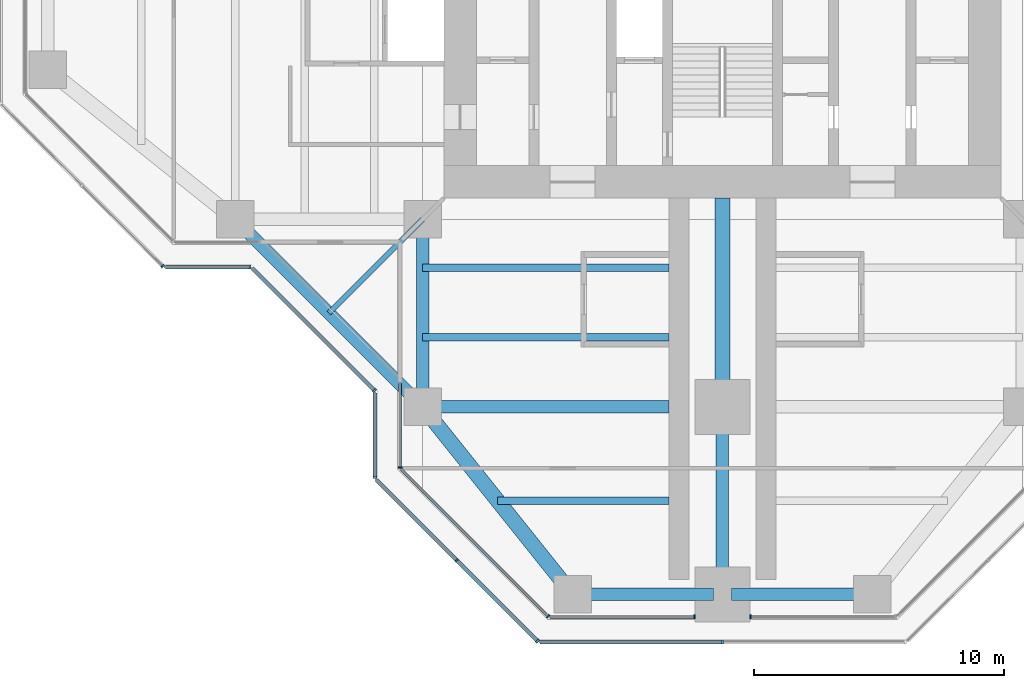
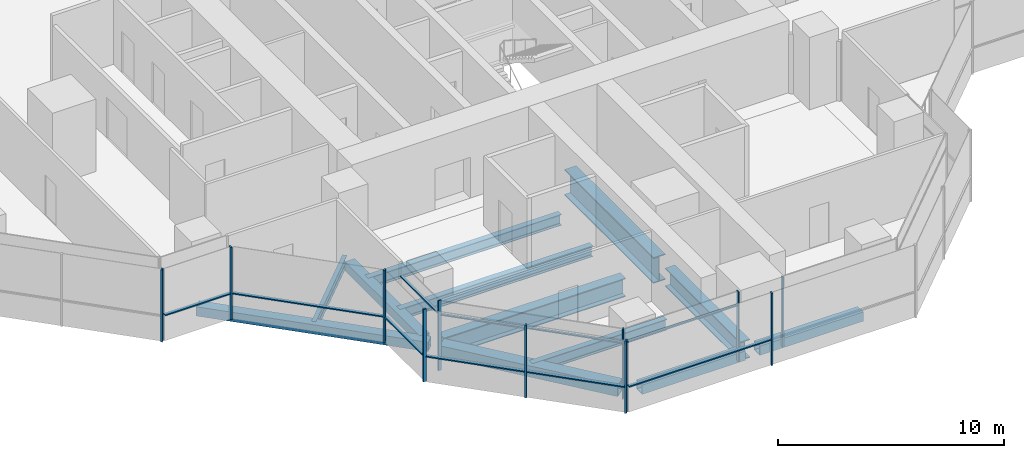
# One storey, part 2 of 17: 20 members, 12 beams, 10 elements without a shape of their own.
"""IFC4 building model written with IfcOpenShell, lengths in metres."""

from ifc_helpers import new_model, si_unit, direction, frame, origin, origin_2d, place, context, subcontext, project, spatial, rectangle, hollow_rectangle, i_section, extrude, material, material_profile, profile_set, type_object, element, aggregate, save


model = new_model("IFC4")

# Units and contexts
model_context = context("Model", 3, precision=1e-05, world=origin(), true_north=direction((0.0, 1.0)))
body_context = subcontext(model_context, "Body", "Model", "MODEL_VIEW")
ifc_project = project(units=[si_unit("LENGTHUNIT", "METRE"), si_unit("AREAUNIT", "SQUARE_METRE"), si_unit("VOLUMEUNIT", "CUBIC_METRE"), si_unit("PLANEANGLEUNIT", "RADIAN"), si_unit("MASSUNIT", "GRAM", prefix="KILO")], contexts=[model_context])

# Site, building, storey
site_placement = place(None, origin())
site = spatial("IfcSite", under=ifc_project, at=site_placement, CompositionType="ELEMENT")
building_placement = place(site_placement, origin())
building = spatial("IfcBuilding", under=site, at=building_placement, Name="Mizan Broadcast Tower", CompositionType="ELEMENT")
storey_placement = place(building_placement, frame((0.0, 0.0, 224.39990234375)))
storey = spatial("IfcBuildingStorey", under=building, at=storey_placement, Name="L52", CompositionType="ELEMENT", Elevation=224.39990234375)

# Beams
ifc_material_1 = material(Name="Steel S355", Category="steel")
ifc_material_profile_1 = material_profile(ifc_material_1, hollow_rectangle(XDim=0.5, YDim=0.5, WallThickness=0.030029296875, at=origin_2d()), Name="BOX 500x500x30")
ifc_profile_set_1 = profile_set([ifc_material_profile_1], Name="Steel S355")
beam_type_1 = type_object("IfcBeamType", Name="EDGE BEAM BOX 500x500x30", PredefinedType="SPANDREL", material=ifc_profile_set_1)
beam_1_placement = place(storey_placement, frame((-12.0, -12.449951171875, -0.3798828125), z_axis=(0.0, -1.0, 0.0), x_axis=(1.0, 0.0, 0.0)))
element("IfcBeam", 1, at=beam_1_placement, inside=storey, type_object=beam_type_1, Name="Edge beam BOX 500x500x30 L52 south arm", PredefinedType="SPANDREL", context=body_context, shape_type="SweptSolid", body=[
    extrude(hollow_rectangle(XDim=0.5, YDim=0.5, WallThickness=0.030029296875, at=origin_2d()), origin(), (0.0, 0.0, 1.0), 6.60009765625),
])
for number, where, z_axis, x_axis, name in (
    (2, (-5.639892578125, -27.0, -0.3798828125), (1.0, 0.0, 0.0), (0.0, 1.0, 0.0), "Edge beam BOX 500x500x30 L52 south arm"),
    (3, (5.639892578125, -27.0, -0.3798828125), (-1.0, 0.0, 0.0), (0.0, -1.0, 0.0), "Edge beam BOX 500x500x30 L52 south arm"),
):
    element("IfcBeam", number, at=place(storey_placement, frame(where, z_axis=z_axis, x_axis=x_axis)), inside=storey, type_object=beam_type_1, Name=name, PredefinedType="SPANDREL", context=body_context, shape_type="SweptSolid", body=[
        extrude(hollow_rectangle(XDim=0.5, YDim=0.5, WallThickness=0.030029296875, at=origin_2d()), origin(), (0.0, 0.0, 1.0), 5.27978515625),
    ])
beam_2_placement = place(storey_placement, frame((-19.5, -12.0, -0.3798828125), z_axis=(0.707106781187, -0.707106781187, 0.0), x_axis=(0.707106781187, 0.707106781187, 0.0)))
element("IfcBeam", 4, at=beam_2_placement, inside=storey, type_object=beam_type_1, Name="Winter garden edge beam L52 W", PredefinedType="SPANDREL", context=body_context, shape_type="SweptSolid", body=[
    extrude(hollow_rectangle(XDim=0.5, YDim=0.5, WallThickness=0.030029296875, at=origin_2d()), origin(), (0.0, 0.0, 1.0), 10.606689453125),
])
ifc_material_2 = material(Name="Steel S355", Category="steel")
ifc_material_profile_2 = material_profile(ifc_material_2, hollow_rectangle(XDim=0.60009765625, YDim=0.60009765625, WallThickness=0.030029296875, at=origin_2d()), Name="BOX 600x600x30")
ifc_profile_set_2 = profile_set([ifc_material_profile_2], Name="Steel S355")
beam_type_2 = type_object("IfcBeamType", Name="EDGE BEAM BOX 600x600x30", PredefinedType="SPANDREL", material=ifc_profile_set_2)
beam_3_placement = place(storey_placement, frame((-11.639892578125, -19.949951171875, -0.429931640625), z_axis=(0.624673911726, -0.780885717636, 0.0), x_axis=(0.780885717636, 0.624673911726, 0.0)))
element("IfcBeam", 5, at=beam_3_placement, inside=storey, type_object=beam_type_2, Name="Edge beam BOX 600x600x30 L52 south arm", PredefinedType="SPANDREL", context=body_context, shape_type="SweptSolid", body=[
    extrude(hollow_rectangle(XDim=0.60009765625, YDim=0.60009765625, WallThickness=0.030029296875, at=origin_2d()), origin(), (0.0, 0.0, 1.0), 8.4521484375),
])
ifc_material_3 = material(Name="Steel S460", Category="steel")
ifc_material_profile_3 = material_profile(ifc_material_3, i_section(OverallWidth=0.5, OverallDepth=1.0, WebThickness=0.02490234375, FlangeThickness=0.050048828125, at=origin_2d()), Name="WPG 1000x500")
ifc_profile_set_3 = profile_set([ifc_material_profile_3], Name="Steel S460")
beam_type_3 = type_object("IfcBeamType", Name="GIRDER WPG 1000x500", PredefinedType="BEAM", material=ifc_profile_set_3)
beam_4_placement = place(storey_placement, frame((0.0, -19.949951171875, -0.6298828125), z_axis=(0.0, -1.0, 0.0), x_axis=(1.0, 0.0, 0.0)))
element("IfcBeam", 6, at=beam_4_placement, inside=storey, type_object=beam_type_3, Name="Girder WPG 1000x500 L52 south arm", PredefinedType="BEAM", context=body_context, shape_type="SweptSolid", body=[
    extrude(i_section(OverallWidth=0.5, OverallDepth=1.0, WebThickness=0.02490234375, FlangeThickness=0.050048828125, at=origin_2d()), origin(), (0.0, 0.0, 1.0), 6.60009765625),
])
beam_5_placement = place(storey_placement, frame((-11.408935546875, -19.5, -0.6298828125), z_axis=(1.0, 0.0, 0.0), x_axis=(0.0, 1.0, 0.0)))
element("IfcBeam", 7, at=beam_5_placement, inside=storey, type_object=beam_type_3, Name="Girder WPG 1000x500 L52 south arm", PredefinedType="BEAM", context=body_context, shape_type="SweptSolid", body=[
    extrude(i_section(OverallWidth=0.5, OverallDepth=1.0, WebThickness=0.02490234375, FlangeThickness=0.050048828125, at=origin_2d()), origin(), (0.0, 0.0, 1.0), 9.259033203125),
])
ifc_material_4 = material(Name="Steel S460", Category="steel")
ifc_material_profile_4 = material_profile(ifc_material_4, i_section(OverallWidth=0.60009765625, OverallDepth=1.39990234375, WebThickness=0.02490234375, FlangeThickness=0.06005859375, at=origin_2d()), Name="WPG 1400x600")
ifc_profile_set_4 = profile_set([ifc_material_profile_4], Name="Steel S460")
beam_type_4 = type_object("IfcBeamType", Name="GIRDER WPG 1400x600", PredefinedType="BEAM", material=ifc_profile_set_4)
beam_6_placement = place(storey_placement, frame((0.0, -11.14990234375, -0.829833984375), z_axis=(0.0, -1.0, 0.0), x_axis=(1.0, 0.0, 0.0)))
element("IfcBeam", 8, at=beam_6_placement, inside=storey, type_object=beam_type_4, Name="Girder WPG 1400x600 L52 south arm", PredefinedType="BEAM", context=body_context, shape_type="SweptSolid", body=[
    extrude(i_section(OverallWidth=0.60009765625, OverallDepth=1.39990234375, WebThickness=0.02490234375, FlangeThickness=0.06005859375, at=origin_2d()), origin(), (0.0, 0.0, 1.0), 7.84912109375),
])

# Curtain wall, member
ifc_material_5 = material(Name="Aluminium framed glazing", Category="aluminium")
curtain_wall_type_1 = type_object("IfcCurtainWallType", Name="INNER SKIN HIGH ZONE", PredefinedType="USERDEFINED", material=ifc_material_5)
curtain_wall_1_placement = place(storey_placement, origin())
curtain_wall_1 = element("IfcCurtainWall", 9, at=curtain_wall_1_placement, inside=storey, type_object=curtain_wall_type_1, Name="Inner skin high zone L52 S side", ObjectType="INNER SKIN HIGH ZONE", PredefinedType="USERDEFINED")
ifc_material_6 = material(Name="Aluminium, pale anodised", Category="aluminium")
ifc_material_profile_5 = material_profile(ifc_material_6, rectangle(XDim=0.159912109375, YDim=0.06005859375, at=origin_2d()), Name="MULLION 160x60")
ifc_profile_set_5 = profile_set([ifc_material_profile_5], Name="Aluminium, pale anodised")
member_type_1 = type_object("IfcMemberType", Name="INNER SKIN MULLION 60x160", PredefinedType="MULLION", material=ifc_profile_set_5)
member_1_placement = place(storey_placement, frame((-12.89990234375, -21.928466796875, 0.0), z_axis=(0.0, 0.0, 1.0), x_axis=(1.0, 0.0, 0.0)))
member_1 = element("IfcMember", 10, at=member_1_placement, type_object=member_type_1, Name="Inner skin high zone L52 S side mullion 2", PredefinedType="MULLION", context=body_context, shape_type="SweptSolid", body=[
    extrude(rectangle(XDim=0.159912109375, YDim=0.06005859375, at=origin_2d()), origin(), (0.0, 0.0, 1.0), 3.77001953125),
])

curtain_wall_2_placement = place(storey_placement, origin())
curtain_wall_2 = element("IfcCurtainWall", 11, at=curtain_wall_2_placement, inside=storey, type_object=curtain_wall_type_1, Name="Inner skin high zone L52 S chamfer", ObjectType="INNER SKIN HIGH ZONE", PredefinedType="USERDEFINED")
member_2_placement = place(storey_placement, frame((-6.979736328125, -27.87890625, 0.0), z_axis=(0.0, 0.0, 1.0), x_axis=(0.707106781187, 0.707106781187, 0.0)))
member_2 = element("IfcMember", 12, at=member_2_placement, type_object=member_type_1, Name="Inner skin high zone L52 S chamfer mullion 2", PredefinedType="MULLION", context=body_context, shape_type="SweptSolid", body=[
    extrude(rectangle(XDim=0.159912109375, YDim=0.06005859375, at=origin_2d()), origin(), (0.0, 0.0, 1.0), 3.77001953125),
])

curtain_wall_3_placement = place(storey_placement, origin())
curtain_wall_3 = element("IfcCurtainWall", 13, at=curtain_wall_3_placement, inside=storey, type_object=curtain_wall_type_1, Name="Inner skin high zone L52 S end", ObjectType="INNER SKIN HIGH ZONE", PredefinedType="USERDEFINED")
member_3_placement = place(storey_placement, frame((-1.1298828125, -27.89990234375, 0.0), z_axis=(0.0, 0.0, 1.0), x_axis=(0.0, 1.0, 0.0)))
member_3 = element("IfcMember", 14, at=member_3_placement, type_object=member_type_1, Name="Inner skin high zone L52 S end mullion 2", PredefinedType="MULLION", context=body_context, shape_type="SweptSolid", body=[
    extrude(rectangle(XDim=0.159912109375, YDim=0.06005859375, at=origin_2d()), origin(), (0.0, 0.0, 1.0), 3.77001953125),
])

curtain_wall_4_placement = place(storey_placement, origin())
curtain_wall_4 = element("IfcCurtainWall", 15, at=curtain_wall_4_placement, inside=storey, type_object=curtain_wall_type_1, Name="Inner skin high zone L52 S end", ObjectType="INNER SKIN HIGH ZONE", PredefinedType="USERDEFINED")
member_4_placement = place(storey_placement, frame((1.1298828125, -27.89990234375, 0.0), z_axis=(0.0, 0.0, 1.0), x_axis=(0.0, 1.0, 0.0)))
member_4 = element("IfcMember", 16, at=member_4_placement, type_object=member_type_1, Name="Inner skin high zone L52 S end mullion 1", PredefinedType="MULLION", context=body_context, shape_type="SweptSolid", body=[
    extrude(rectangle(XDim=0.159912109375, YDim=0.06005859375, at=origin_2d()), origin(), (0.0, 0.0, 1.0), 3.77001953125),
])
aggregate(curtain_wall_4, [member_4])

# Member
ifc_material_7 = material(Name="Aluminium, pale anodised", Category="aluminium")
ifc_material_profile_6 = material_profile(ifc_material_7, rectangle(XDim=0.1201171875, YDim=0.06005859375, at=origin_2d()), Name="TRANSOM 120x60")
ifc_profile_set_6 = profile_set([ifc_material_profile_6], Name="Aluminium, pale anodised")
member_type_2 = type_object("IfcMemberType", Name="INNER SKIN TRANSOM 60x120", PredefinedType="USERDEFINED", material=ifc_profile_set_6)
member_5_placement = place(storey_placement, frame((-12.89990234375, -18.56005859375, 3.030029296875), z_axis=(0.0, -1.0, 0.0), x_axis=(1.0, 0.0, 0.0)))
member_5 = element("IfcMember", 17, at=member_5_placement, type_object=member_type_2, Name="Inner skin high zone L52 S side transom 1.1", ObjectType="TRANSOM", PredefinedType="USERDEFINED", context=body_context, shape_type="SweptSolid", body=[
    extrude(rectangle(XDim=0.1201171875, YDim=0.06005859375, at=origin_2d()), origin(), (0.0, 0.0, 1.0), 3.338623046875),
])

aggregate(curtain_wall_1, [member_1, member_5])

member_6_placement = place(storey_placement, frame((-12.857666015625, -22.0009765625, 3.030029296875), z_axis=(0.707106781187, -0.707106781187, 0.0), x_axis=(0.707106781187, 0.707106781187, 0.0)))
member_6 = element("IfcMember", 18, at=member_6_placement, type_object=member_type_2, Name="Inner skin high zone L52 S chamfer transom 1.1", ObjectType="TRANSOM", PredefinedType="USERDEFINED", context=body_context, shape_type="SweptSolid", body=[
    extrude(rectangle(XDim=0.1201171875, YDim=0.06005859375, at=origin_2d()), origin(), (0.0, 0.0, 1.0), 8.28271484375),
])

aggregate(curtain_wall_2, [member_2, member_6])

member_7_placement = place(storey_placement, frame((-6.898681640625, -27.89990234375, 3.030029296875), z_axis=(1.0, 0.0, 0.0), x_axis=(0.0, 1.0, 0.0)))
member_7 = element("IfcMember", 19, at=member_7_placement, type_object=member_type_2, Name="Inner skin high zone L52 S end transom 1.1", ObjectType="TRANSOM", PredefinedType="USERDEFINED", context=body_context, shape_type="SweptSolid", body=[
    extrude(rectangle(XDim=0.1201171875, YDim=0.06005859375, at=origin_2d()), origin(), (0.0, 0.0, 1.0), 5.73876953125),
])

aggregate(curtain_wall_3, [member_3, member_7])

# Curtain wall, member
ifc_material_8 = material(Name="Aluminium framed glazing", Category="aluminium")
curtain_wall_type_2 = type_object("IfcCurtainWallType", Name="OUTER SKIN", PredefinedType="USERDEFINED", material=ifc_material_8)
curtain_wall_5_placement = place(storey_placement, origin())
curtain_wall_5 = element("IfcCurtainWall", 20, at=curtain_wall_5_placement, inside=storey, type_object=curtain_wall_type_2, Name="Outer skin L52 W chamfer", ObjectType="OUTER SKIN", PredefinedType="USERDEFINED")
ifc_material_9 = material(Name="Aluminium, pale anodised", Category="aluminium")
ifc_material_profile_7 = material_profile(ifc_material_9, rectangle(XDim=0.159912109375, YDim=0.080078125, at=origin_2d()), Name="MULLION 160x80")
ifc_profile_set_7 = profile_set([ifc_material_profile_7], Name="Aluminium, pale anodised")
member_type_3 = type_object("IfcMemberType", Name="OUTER SKIN MULLION 80x160", PredefinedType="MULLION", material=ifc_profile_set_7)
member_8_placement = place(storey_placement, frame((-22.401123046875, -13.871826171875, 0.0), z_axis=(0.0, 0.0, 1.0), x_axis=(0.707106781187, 0.707106781187, 0.0)))
member_8 = element("IfcMember", 21, at=member_8_placement, type_object=member_type_3, Name="Outer skin L52 W chamfer mullion 3", PredefinedType="MULLION", context=body_context, shape_type="SweptSolid", body=[
    extrude(rectangle(XDim=0.159912109375, YDim=0.080078125, at=origin_2d()), origin(), (0.0, 0.0, 1.0), 3.900146484375),
])
aggregate(curtain_wall_5, [member_8])

curtain_wall_6_placement = place(storey_placement, origin())
curtain_wall_6 = element("IfcCurtainWall", 22, at=curtain_wall_6_placement, inside=storey, type_object=curtain_wall_type_2, Name="Outer skin L52 W side", ObjectType="OUTER SKIN", PredefinedType="USERDEFINED")
member_9_placement = place(storey_placement, frame((-18.912841796875, -13.89990234375, 0.0), z_axis=(0.0, 0.0, 1.0), x_axis=(0.0, 1.0, 0.0)))
member_9 = element("IfcMember", 23, at=member_9_placement, type_object=member_type_3, Name="Outer skin L52 W side mullion 2", PredefinedType="MULLION", context=body_context, shape_type="SweptSolid", body=[
    extrude(rectangle(XDim=0.159912109375, YDim=0.080078125, at=origin_2d()), origin(), (0.0, 0.0, 1.0), 3.900146484375),
])

curtain_wall_7_placement = place(storey_placement, origin())
curtain_wall_7 = element("IfcCurtainWall", 24, at=curtain_wall_7_placement, inside=storey, type_object=curtain_wall_type_2, Name="Outer skin L52 W chamfer", ObjectType="OUTER SKIN", PredefinedType="USERDEFINED")
member_10_placement = place(storey_placement, frame((-13.92822265625, -18.844482421875, 0.0), z_axis=(0.0, 0.0, 1.0), x_axis=(0.707106781187, 0.707106781187, 0.0)))
member_10 = element("IfcMember", 25, at=member_10_placement, type_object=member_type_3, Name="Outer skin L52 W chamfer mullion 2", PredefinedType="MULLION", context=body_context, shape_type="SweptSolid", body=[
    extrude(rectangle(XDim=0.159912109375, YDim=0.080078125, at=origin_2d()), origin(), (0.0, 0.0, 1.0), 3.900146484375),
])

curtain_wall_8_placement = place(storey_placement, origin())
curtain_wall_8 = element("IfcCurtainWall", 26, at=curtain_wall_8_placement, inside=storey, type_object=curtain_wall_type_2, Name="Outer skin L52 S side", ObjectType="OUTER SKIN", PredefinedType="USERDEFINED")
member_11_placement = place(storey_placement, frame((-13.89990234375, -22.332763671875, 0.0), z_axis=(0.0, 0.0, 1.0), x_axis=(1.0, 0.0, 0.0)))
member_11 = element("IfcMember", 27, at=member_11_placement, type_object=member_type_3, Name="Outer skin L52 S side mullion 2", PredefinedType="MULLION", context=body_context, shape_type="SweptSolid", body=[
    extrude(rectangle(XDim=0.159912109375, YDim=0.080078125, at=origin_2d()), origin(), (0.0, 0.0, 1.0), 3.900146484375),
])

# Curtain wall, members
curtain_wall_9_placement = place(storey_placement, origin())
curtain_wall_9 = element("IfcCurtainWall", 28, at=curtain_wall_9_placement, inside=storey, type_object=curtain_wall_type_2, Name="Outer skin L52 S chamfer", ObjectType="OUTER SKIN", PredefinedType="USERDEFINED")
member_12_placement = place(storey_placement, frame((-10.636474609375, -25.636474609375, 0.0), z_axis=(0.0, 0.0, 1.0), x_axis=(0.707106781187, 0.707106781187, 0.0)))
member_12 = element("IfcMember", 29, at=member_12_placement, type_object=member_type_3, Name="Outer skin L52 S chamfer mullion 2", PredefinedType="MULLION", context=body_context, shape_type="SweptSolid", body=[
    extrude(rectangle(XDim=0.159912109375, YDim=0.080078125, at=origin_2d()), origin(), (0.0, 0.0, 1.0), 3.900146484375),
])
member_13_placement = place(storey_placement, frame((-7.401123046875, -28.871826171875, 0.0), z_axis=(0.0, 0.0, 1.0), x_axis=(0.707106781187, 0.707106781187, 0.0)))
member_13 = element("IfcMember", 30, at=member_13_placement, type_object=member_type_3, Name="Outer skin L52 S chamfer mullion 3", PredefinedType="MULLION", context=body_context, shape_type="SweptSolid", body=[
    extrude(rectangle(XDim=0.159912109375, YDim=0.080078125, at=origin_2d()), origin(), (0.0, 0.0, 1.0), 3.900146484375),
])

# Curtain wall, member
curtain_wall_10_placement = place(storey_placement, origin())
curtain_wall_10 = element("IfcCurtainWall", 31, at=curtain_wall_10_placement, inside=storey, type_object=curtain_wall_type_2, Name="Outer skin L52 S end", ObjectType="OUTER SKIN", PredefinedType="USERDEFINED")
member_14_placement = place(storey_placement, frame((0.0, -28.89990234375, 0.0), z_axis=(0.0, 0.0, 1.0), x_axis=(0.0, 1.0, 0.0)))
member_14 = element("IfcMember", 32, at=member_14_placement, type_object=member_type_3, Name="Outer skin L52 S end mullion 2", PredefinedType="MULLION", context=body_context, shape_type="SweptSolid", body=[
    extrude(rectangle(XDim=0.159912109375, YDim=0.080078125, at=origin_2d()), origin(), (0.0, 0.0, 1.0), 3.900146484375),
])

# Member
ifc_material_10 = material(Name="Aluminium, pale anodised", Category="aluminium")
ifc_material_profile_8 = material_profile(ifc_material_10, rectangle(XDim=0.159912109375, YDim=0.06005859375, at=origin_2d()), Name="TRANSOM 160x60")
ifc_profile_set_8 = profile_set([ifc_material_profile_8], Name="Aluminium, pale anodised")
member_type_4 = type_object("IfcMemberType", Name="OUTER SKIN TRANSOM 60x160", PredefinedType="USERDEFINED", material=ifc_profile_set_8)
member_15_placement = place(storey_placement, frame((-22.292724609375, -13.89990234375, 1.400146484375), z_axis=(1.0, 0.0, 0.0), x_axis=(0.0, 1.0, 0.0)))
member_15 = element("IfcMember", 33, at=member_15_placement, type_object=member_type_4, Name="Outer skin L52 W side transom 1.1", ObjectType="TRANSOM", PredefinedType="USERDEFINED", context=body_context, shape_type="SweptSolid", body=[
    extrude(rectangle(XDim=0.159912109375, YDim=0.06005859375, at=origin_2d()), origin(), (0.0, 0.0, 1.0), 3.33984375),
])

aggregate(curtain_wall_6, [member_9, member_15])

member_16_placement = place(storey_placement, frame((-18.816162109375, -13.95654296875, 1.400146484375), z_axis=(0.707106781187, -0.707106781187, 0.0), x_axis=(0.707106781187, 0.707106781187, 0.0)))
member_16 = element("IfcMember", 34, at=member_16_placement, type_object=member_type_4, Name="Outer skin L52 W chamfer transom 1.1", ObjectType="TRANSOM", PredefinedType="USERDEFINED", context=body_context, shape_type="SweptSolid", body=[
    extrude(rectangle(XDim=0.159912109375, YDim=0.06005859375, at=origin_2d()), origin(), (0.0, 0.0, 1.0), 6.87255859375),
])

aggregate(curtain_wall_7, [member_10, member_16])

member_17_placement = place(storey_placement, frame((-13.89990234375, -18.952880859375, 1.400146484375), z_axis=(0.0, -1.0, 0.0), x_axis=(1.0, 0.0, 0.0)))
member_17 = element("IfcMember", 35, at=member_17_placement, type_object=member_type_4, Name="Outer skin L52 S side transom 1.1", ObjectType="TRANSOM", PredefinedType="USERDEFINED", context=body_context, shape_type="SweptSolid", body=[
    extrude(rectangle(XDim=0.159912109375, YDim=0.06005859375, at=origin_2d()), origin(), (0.0, 0.0, 1.0), 3.33984375),
])

aggregate(curtain_wall_8, [member_11, member_17])

member_18_placement = place(storey_placement, frame((-13.843505859375, -22.429443359375, 1.400146484375), z_axis=(0.707106781187, -0.707106781187, 0.0), x_axis=(0.707106781187, 0.707106781187, 0.0)))
member_18 = element("IfcMember", 36, at=member_18_placement, type_object=member_type_4, Name="Outer skin L52 S chamfer transom 1.1", ObjectType="TRANSOM", PredefinedType="USERDEFINED", context=body_context, shape_type="SweptSolid", body=[
    extrude(rectangle(XDim=0.159912109375, YDim=0.06005859375, at=origin_2d()), origin(), (0.0, 0.0, 1.0), 4.495361328125),
])

member_19_placement = place(storey_placement, frame((-10.608154296875, -25.664794921875, 1.400146484375), z_axis=(0.707106781187, -0.707106781187, 0.0), x_axis=(0.707106781187, 0.707106781187, 0.0)))
member_19 = element("IfcMember", 37, at=member_19_placement, type_object=member_type_4, Name="Outer skin L52 S chamfer transom 2.1", ObjectType="TRANSOM", PredefinedType="USERDEFINED", context=body_context, shape_type="SweptSolid", body=[
    extrude(rectangle(XDim=0.159912109375, YDim=0.06005859375, at=origin_2d()), origin(), (0.0, 0.0, 1.0), 4.495361328125),
])

aggregate(curtain_wall_9, [member_12, member_13, member_18, member_19])

member_20_placement = place(storey_placement, frame((-7.292724609375, -28.89990234375, 1.400146484375), z_axis=(1.0, 0.0, 0.0), x_axis=(0.0, 1.0, 0.0)))
member_20 = element("IfcMember", 38, at=member_20_placement, type_object=member_type_4, Name="Outer skin L52 S end transom 1.1", ObjectType="TRANSOM", PredefinedType="USERDEFINED", context=body_context, shape_type="SweptSolid", body=[
    extrude(rectangle(XDim=0.159912109375, YDim=0.06005859375, at=origin_2d()), origin(), (0.0, 0.0, 1.0), 7.252685546875),
])

aggregate(curtain_wall_10, [member_14, member_20])

# Beams
ifc_material_11 = material(Name="Steel S355", Category="steel")
ifc_material_profile_9 = material_profile(ifc_material_11, i_section(OverallWidth=0.300048828125, OverallDepth=0.590087890625, WebThickness=0.012939453125, FlangeThickness=0.02490234375, FilletRadius=0.027099609375, at=origin_2d()), Name="HEA 600")
ifc_profile_set_9 = profile_set([ifc_material_profile_9], Name="Steel S355")
beam_type_5 = type_object("IfcBeamType", Name="SECONDARY BEAM HEA 600", PredefinedType="JOIST", material=ifc_profile_set_9)
for number, where, z_axis, x_axis, name in (
    (39, (-12.0, -13.933349609375, -0.4248046875), (1.0, 0.0, 0.0), (0.0, 1.0, 0.0), "Secondary beam HEA 600 L52 south arm"),
    (40, (-12.0, -16.716552734375, -0.4248046875), (1.0, 0.0, 0.0), (0.0, 1.0, 0.0), "Secondary beam HEA 600 L52 south arm"),
):
    element("IfcBeam", number, at=place(storey_placement, frame(where, z_axis=z_axis, x_axis=x_axis)), inside=storey, type_object=beam_type_5, Name=name, PredefinedType="JOIST", context=body_context, shape_type="SweptSolid", body=[
        extrude(i_section(OverallWidth=0.300048828125, OverallDepth=0.590087890625, WebThickness=0.012939453125, FlangeThickness=0.02490234375, FilletRadius=0.027099609375, at=origin_2d()), origin(), (0.0, 0.0, 1.0), 9.85009765625),
    ])
beam_7_placement = place(storey_placement, frame((-9.0, -23.25, -0.4248046875), z_axis=(1.0, 0.0, 0.0), x_axis=(0.0, 1.0, 0.0)))
element("IfcBeam", 41, at=beam_7_placement, inside=storey, type_object=beam_type_5, Name="Secondary beam HEA 600 L52 south arm", PredefinedType="JOIST", context=body_context, shape_type="SweptSolid", body=[
    extrude(i_section(OverallWidth=0.300048828125, OverallDepth=0.590087890625, WebThickness=0.012939453125, FlangeThickness=0.02490234375, FilletRadius=0.027099609375, at=origin_2d()), origin(), (0.0, 0.0, 1.0), 6.85009765625),
])
ifc_material_12 = material(Name="Steel S355", Category="steel")
ifc_material_profile_10 = material_profile(ifc_material_12, i_section(OverallWidth=0.2099609375, OverallDepth=0.550048828125, WebThickness=0.010986328125, FlangeThickness=0.01708984375, FilletRadius=0.02392578125, at=origin_2d()), Name="IPE 550")
ifc_profile_set_10 = profile_set([ifc_material_profile_10], Name="Steel S355")
beam_type_6 = type_object("IfcBeamType", Name="SECONDARY BEAM IPE 550", PredefinedType="JOIST", material=ifc_profile_set_10)
beam_8_placement = place(storey_placement, frame((-12.0, -12.0, -0.40478515625), z_axis=(-0.707106781187, -0.707106781187, 0.0), x_axis=(0.707106781187, -0.707106781187, 0.0)))
element("IfcBeam", 42, at=beam_8_placement, inside=storey, type_object=beam_type_6, Name="Winter garden beam L52 W", PredefinedType="JOIST", context=body_context, shape_type="SweptSolid", body=[
    extrude(i_section(OverallWidth=0.2099609375, OverallDepth=0.550048828125, WebThickness=0.010986328125, FlangeThickness=0.01708984375, FilletRadius=0.02392578125, at=origin_2d()), origin(), (0.0, 0.0, 1.0), 5.30322265625),
])

save(model, "model.ifc")
